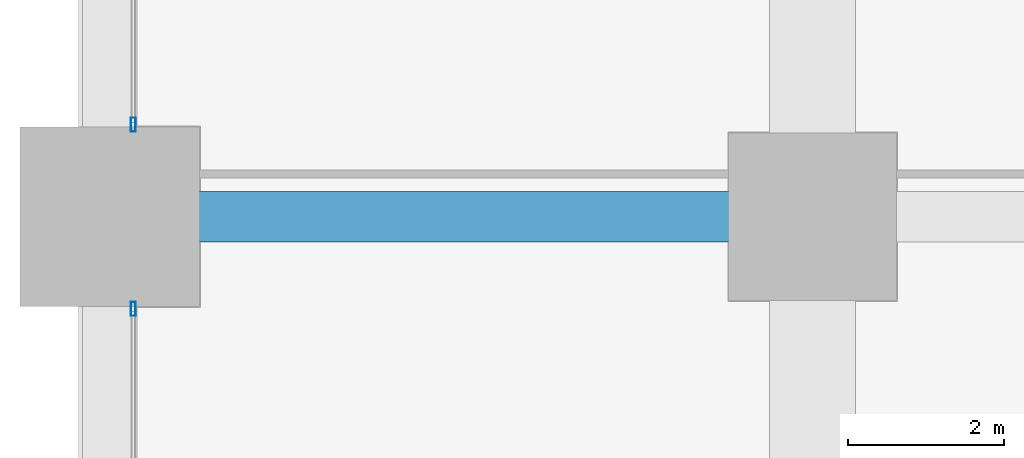
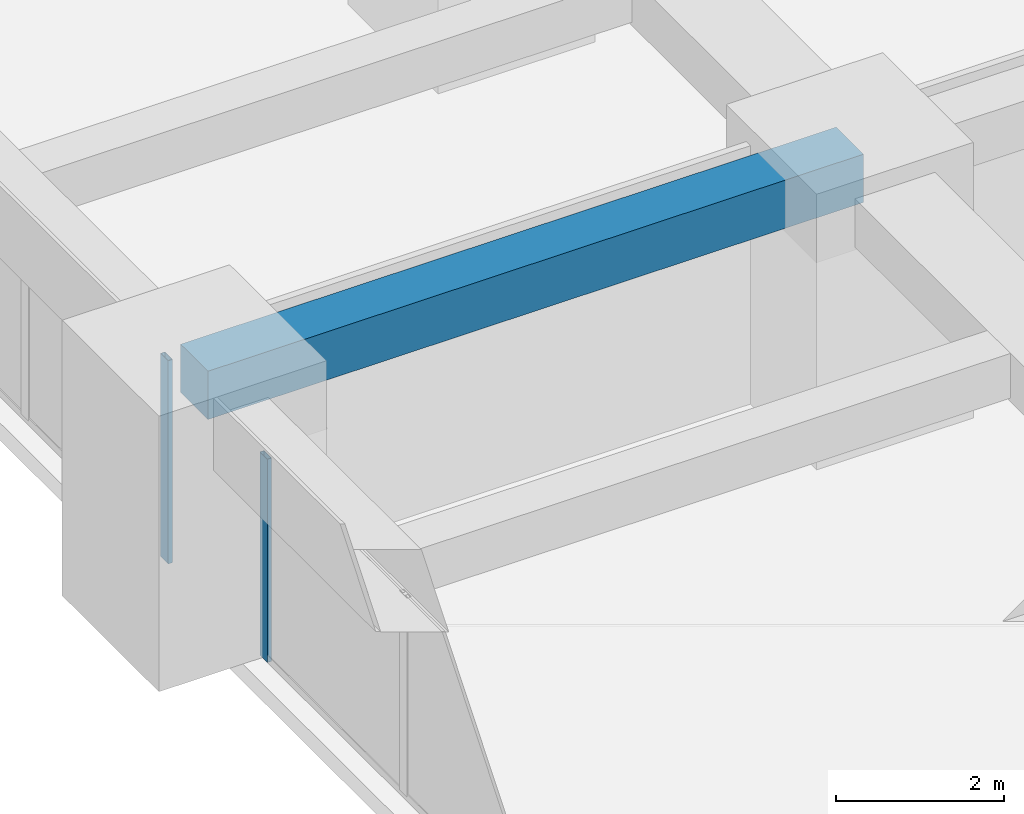
# One storey, part 23 of 44: 2 members, 1 beam, 2 elements without a shape of their own.
"""IFC4 building model written with IfcOpenShell, lengths in metres."""

from ifc_helpers import new_model, si_unit, direction, frame, origin, origin_2d, place, context, subcontext, project, spatial, rectangle, hollow_rectangle, extrude, material, material_profile, profile_set, type_object, element, aggregate, save


model = new_model("IFC4")

# Units and contexts
model_context = context("Model", 3, precision=1e-05, world=origin(), true_north=direction((0.0, 1.0)))
body_context = subcontext(model_context, "Body", "Model", "MODEL_VIEW")
ifc_project = project(units=[si_unit("LENGTHUNIT", "METRE"), si_unit("AREAUNIT", "SQUARE_METRE"), si_unit("VOLUMEUNIT", "CUBIC_METRE"), si_unit("PLANEANGLEUNIT", "RADIAN"), si_unit("MASSUNIT", "GRAM", prefix="KILO")], contexts=[model_context])

# Site, building, storey
site_placement = place(None, origin())
site = spatial("IfcSite", under=ifc_project, at=site_placement, CompositionType="ELEMENT")
building_placement = place(site_placement, origin())
building = spatial("IfcBuilding", under=site, at=building_placement, Name="Zorevar Civic Tower", CompositionType="ELEMENT")
storey_placement = place(building_placement, frame((0.0, 0.0, 55.800048828125)))
storey = spatial("IfcBuildingStorey", under=building, at=storey_placement, Name="L13", CompositionType="ELEMENT", Elevation=55.800048828125)

# Beam
ifc_material_1 = material(Name="Concrete C50/60", Category="concrete")
ifc_material_profile_1 = material_profile(ifc_material_1, rectangle(XDim=0.64990234375, YDim=0.699951171875, at=origin_2d()), Name="RC 650x700")
ifc_profile_set_1 = profile_set([ifc_material_profile_1], Name="Concrete C50/60")
beam_type = type_object("IfcBeamType", Name="Beam RC 650x700", PredefinedType="BEAM", material=ifc_profile_set_1)
beam_placement = place(storey_placement, frame((0.0, 36.0, 3.39990234375), z_axis=(1.0, 0.0, 0.0), x_axis=(0.0, 1.0, 0.0)))
element("IfcBeam", 1, at=beam_placement, inside=storey, type_object=beam_type, Name="Girder L14", PredefinedType="BEAM", context=body_context, shape_type="SweptSolid", body=[
    extrude(rectangle(XDim=0.64990234375, YDim=0.699951171875, at=origin_2d()), origin(), (0.0, 0.0, 1.0), 9.0),
])

# Curtain wall, member
ifc_material_2 = material(Name="Dark grey solar-control glass in black aluminium frame", Category="aluminium")
curtain_wall_type = type_object("IfcCurtainWallType", Name="Curtain wall CW2 low zone", PredefinedType="NOTDEFINED", material=ifc_material_2)
curtain_wall_1_placement = place(storey_placement, origin())
curtain_wall_1 = element("IfcCurtainWall", 2, at=curtain_wall_1_placement, inside=storey, type_object=curtain_wall_type, Name="CW2 L13", PredefinedType="NOTDEFINED")
ifc_material_3 = material(Name="Aluminium, black anodised", Category="aluminium")
ifc_material_profile_2 = material_profile(ifc_material_3, hollow_rectangle(XDim=0.06005859375, YDim=0.179931640625, WallThickness=0.00390625, at=origin_2d()), Name="AL 180x60x4")
ifc_profile_set_2 = profile_set([ifc_material_profile_2], Name="Aluminium, black anodised")
member_type = type_object("IfcMemberType", Name="CW2 mullion AL 180x60x4", PredefinedType="MULLION", material=ifc_profile_set_2)
member_1_placement = place(storey_placement, frame((0.300048828125, 34.820068359375, 0.0), z_axis=(0.0, 0.0, 1.0), x_axis=(-1.0, 0.0, 0.0)))
member_1 = element("IfcMember", 3, at=member_1_placement, type_object=member_type, Name="CW2 mullion 3", PredefinedType="MULLION", context=body_context, shape_type="SweptSolid", body=[
    extrude(hollow_rectangle(XDim=0.06005859375, YDim=0.179931640625, WallThickness=0.00390625, at=origin_2d()), origin(), (0.0, 0.0, 1.0), 2.949951171875),
])
aggregate(curtain_wall_1, [member_1])

curtain_wall_2_placement = place(storey_placement, origin())
curtain_wall_2 = element("IfcCurtainWall", 4, at=curtain_wall_2_placement, inside=storey, type_object=curtain_wall_type, Name="CW2 L13", PredefinedType="NOTDEFINED")
member_2_placement = place(storey_placement, frame((0.300048828125, 37.179931640625, 0.0), z_axis=(0.0, 0.0, 1.0), x_axis=(-1.0, 0.0, 0.0)))
member_2 = element("IfcMember", 5, at=member_2_placement, type_object=member_type, Name="CW2 mullion 1", PredefinedType="MULLION", context=body_context, shape_type="SweptSolid", body=[
    extrude(hollow_rectangle(XDim=0.06005859375, YDim=0.179931640625, WallThickness=0.00390625, at=origin_2d()), origin(), (0.0, 0.0, 1.0), 2.949951171875),
])
aggregate(curtain_wall_2, [member_2])

save(model, "model.ifc")
